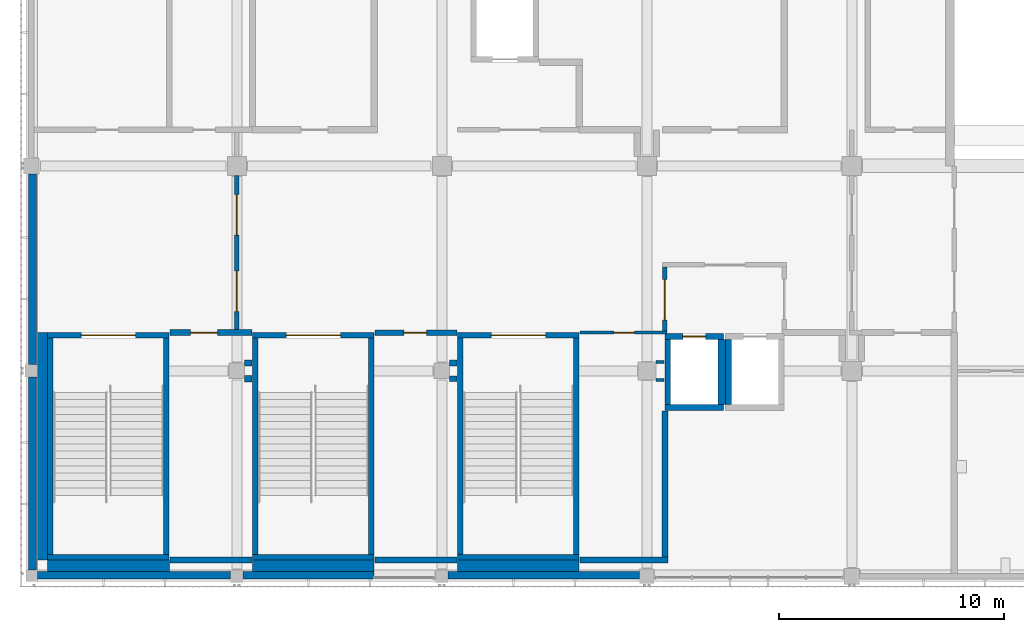
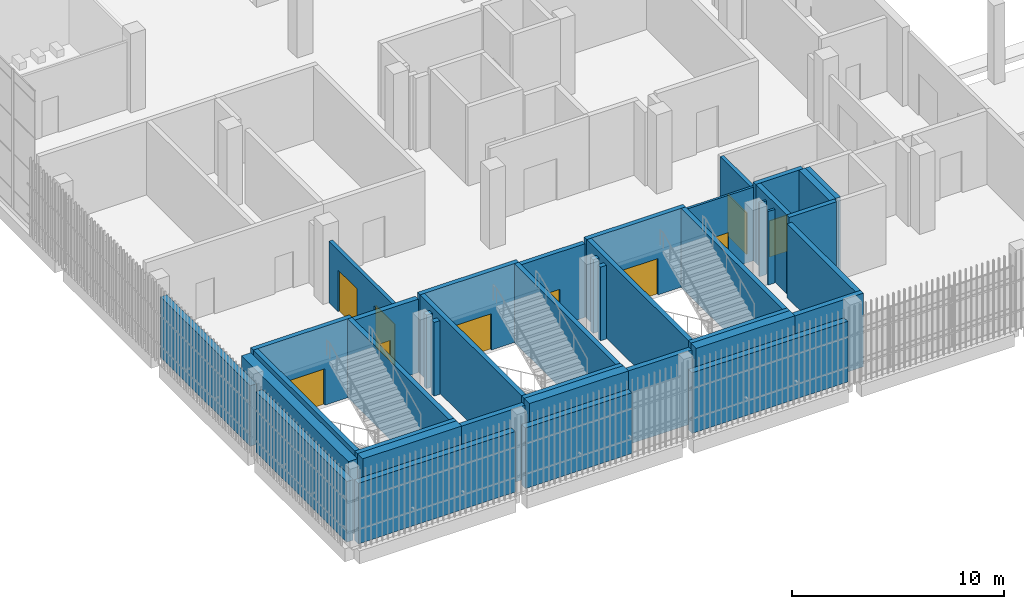
# One storey, part 73 of 126: 41 walls, 10 doors, 10 openings.
"""IFC4 building model written with IfcOpenShell, lengths in metres."""

from ifc_helpers import new_model, si_unit, direction, frame, frame_2d, origin, place, context, subcontext, project, spatial, rectangle, extrude, material, layer, layer_set, type_object, element, fill, save


model = new_model("IFC4")

# Units and contexts
model_context = context("Model", 3, precision=1e-05, world=origin(), true_north=direction((0.0, 1.0)))
body_context = subcontext(model_context, "Body", "Model", "MODEL_VIEW")
ifc_project = project(units=[si_unit("LENGTHUNIT", "METRE"), si_unit("AREAUNIT", "SQUARE_METRE"), si_unit("VOLUMEUNIT", "CUBIC_METRE"), si_unit("PLANEANGLEUNIT", "RADIAN"), si_unit("MASSUNIT", "GRAM", prefix="KILO")], contexts=[model_context])

# Site, building, storey
site_placement = place(None, origin())
site = spatial("IfcSite", under=ifc_project, at=site_placement, CompositionType="ELEMENT")
building_placement = place(site_placement, origin())
building = spatial("IfcBuilding", under=site, at=building_placement, Name="Shirokan Park Arena", CompositionType="ELEMENT")
storey_placement = place(building_placement, frame((0.0, 0.0, 6.3701171875)))
storey = spatial("IfcBuildingStorey", under=building, at=storey_placement, Name="L01", CompositionType="ELEMENT", Elevation=6.3701171875)

# Walls
ifc_material_1 = material(Name="Plaster")
ifc_layer_1 = layer(ifc_material_1, 0.014892578125, Name="Plaster")
ifc_material_2 = material(Name="Concrete blockwork", Category="masonry")
ifc_layer_2 = layer(ifc_material_2, 0.219970703125, Name="Concrete blockwork 220")
ifc_layer_3 = layer(ifc_material_1, 0.014892578125, Name="Plaster")
ifc_layer_set_1 = layer_set([ifc_layer_1, ifc_layer_2, ifc_layer_3], Name="Plaster + Concrete blockwork 220")
wall_type_1 = type_object("IfcWallType", Name="Compartment wall 250", PredefinedType="SOLIDWALL", material=ifc_layer_set_1)
for number, where, z_axis, x_axis, name in (
    (1, (18.550048828125, 8.75, 0.0), (0.0, 0.0, 1.0), (1.0, 0.0, 0.0), "Compartment wall 250 L01"),
    (2, (18.8701171875, 9.449951171875, 0.0), (0.0, 0.0, 1.0), (-1.0, 0.0, 0.0), "Compartment wall 250 L01"),
):
    element("IfcWall", number, at=place(storey_placement, frame(where, z_axis=z_axis, x_axis=x_axis)), inside=storey, type_object=wall_type_1, Name=name, PredefinedType="SOLIDWALL", context=body_context, shape_type="SweptSolid", body=[
        extrude(rectangle(XDim=0.320068359375, YDim=0.25, at=frame_2d((0.16015625, 0.0))), origin(), (0.0, 0.0, 1.0), 4.25),
    ])

# Wall, opening, door
wall_1_placement = place(storey_placement, frame((18.8701171875, 10.800048828125, 0.0), z_axis=(0.0, 0.0, 1.0), x_axis=(-1.0, 0.0, 0.0)))
wall_1 = element("IfcWall", 3, at=wall_1_placement, inside=storey, type_object=wall_type_1, Name="Compartment wall 250 L01", PredefinedType="SOLIDWALL", context=body_context, shape_type="SweptSolid", body=[
    extrude(rectangle(XDim=3.64013671875, YDim=0.25, at=frame_2d((1.820068359375, 0.0))), origin(), (0.0, 0.0, 1.0), 4.25),
])
opening_1_placement = place(wall_1_placement, frame((1.35009765625, 0.0, 0.0)))
opening_1 = element("IfcOpeningElement", 4, at=opening_1_placement, cuts=wall_1, Name="Opening D-1007", PredefinedType="OPENING", context=body_context, shape_type="SweptSolid", body=[
    extrude(rectangle(XDim=1.0, YDim=2.10009765625, at=frame_2d((0.5, 1.050048828125))), frame((0.0, 0.135009765625, 0.0), z_axis=(0.0, -1.0, 0.0), x_axis=(1.0, 0.0, 0.0)), (0.0, 0.0, 1.0), 0.27001953125),
])
ifc_material_3 = material(Name="Timber door set, fire resisting", Category="wood")
door_type_1 = type_object("IfcDoorType", Name="Door 1000 x 2100", OperationType="SINGLE_SWING_LEFT", PredefinedType="DOOR", material=ifc_material_3)
door_1_placement = place(opening_1_placement, origin())
door_1 = element("IfcDoor", 5, at=door_1_placement, inside=storey, type_object=door_type_1, Name="Door to Kiosk Store 1.11 D-1007", OperationType="SINGLE_SWING_LEFT", OverallHeight=2.10009765625, OverallWidth=1.0, PredefinedType="DOOR", context=body_context, shape_type="SweptSolid", body=[
    extrude(rectangle(XDim=1.0, YDim=2.10009765625, at=frame_2d((0.5, 1.050048828125))), frame((0.0, 0.02490234375, 0.0), z_axis=(0.0, -1.0, 0.0), x_axis=(1.0, 0.0, 0.0)), (0.0, 0.0, 1.0), 0.050048828125),
])
fill(opening_1, door_1)

# Wall, openings, doors
ifc_material_4 = material(Name="Gypsum board")
ifc_layer_4 = layer(ifc_material_4, 0.02490234375, Name="Gypsum board, two layers")
ifc_material_5 = material(Name="Mineral wool insulation")
ifc_layer_5 = layer(ifc_material_5, 0.14990234375, Name="Mineral wool insulation")
ifc_layer_6 = layer(ifc_material_4, 0.02490234375, Name="Gypsum board, two layers")
ifc_layer_set_2 = layer_set([ifc_layer_4, ifc_layer_5, ifc_layer_6], Name="Gypsum board, two layers + Mineral wool insulation")
wall_type_2 = type_object("IfcWallType", Name="Corridor wall 200", PredefinedType="PARTITIONING", material=ifc_layer_set_2)
wall_2_placement = place(storey_placement, frame((9.10009765625, 17.77490234375, 0.0), z_axis=(0.0, 0.0, 1.0), x_axis=(0.0, -1.0, 0.0)))
wall_2 = element("IfcWall", 6, at=wall_2_placement, inside=storey, type_object=wall_type_2, Name="Corridor wall 200 L01", PredefinedType="PARTITIONING", context=body_context, shape_type="SweptSolid", body=[
    extrude(rectangle(XDim=6.83740234375, YDim=0.199951171875, at=frame_2d((3.418701171875, 0.0))), origin(), (0.0, 0.0, 1.0), 3.5498046875),
])
opening_2_placement = place(wall_2_placement, frame((0.85009765625, 0.0, 0.0)))
opening_2 = element("IfcOpeningElement", 7, at=opening_2_placement, cuts=wall_2, Name="Opening D-1053", PredefinedType="OPENING", context=body_context, shape_type="SweptSolid", body=[
    extrude(rectangle(XDim=1.800048828125, YDim=2.39990234375, at=frame_2d((0.89990234375, 1.199951171875))), frame((0.0, 0.10986328125, 0.0), z_axis=(0.0, -1.0, 0.0), x_axis=(1.0, 0.0, 0.0)), (0.0, 0.0, 1.0), 0.219970703125),
])
opening_3_placement = place(wall_2_placement, frame((4.25, 0.0, 0.0)))
opening_3 = element("IfcOpeningElement", 8, at=opening_3_placement, cuts=wall_2, Name="Opening D-1054", PredefinedType="OPENING", context=body_context, shape_type="SweptSolid", body=[
    extrude(rectangle(XDim=1.800048828125, YDim=2.39990234375, at=frame_2d((0.89990234375, 1.199951171875))), frame((0.0, 0.10986328125, 0.0), z_axis=(0.0, -1.0, 0.0), x_axis=(1.0, 0.0, 0.0)), (0.0, 0.0, 1.0), 0.219970703125),
])
ifc_material_6 = material(Name="Glazed steel door set, fire resisting", Category="steel")
door_type_2 = type_object("IfcDoorType", Name="Lift lobby door 1800 x 2400", OperationType="DOUBLE_DOOR_SINGLE_SWING", PredefinedType="DOOR", material=ifc_material_6)
door_2_placement = place(opening_2_placement, origin())
door_2 = element("IfcDoor", 9, at=door_2_placement, inside=storey, type_object=door_type_2, Name="Door between Retail Arcade 1.1.1 and Stair Lobby 1.1.2 D-1053", OperationType="DOUBLE_DOOR_SINGLE_SWING", OverallHeight=2.39990234375, OverallWidth=1.800048828125, PredefinedType="DOOR", context=body_context, shape_type="SweptSolid", body=[
    extrude(rectangle(XDim=1.800048828125, YDim=2.39990234375, at=frame_2d((0.89990234375, 1.199951171875))), frame((0.0, 0.02490234375, 0.0), z_axis=(0.0, -1.0, 0.0), x_axis=(1.0, 0.0, 0.0)), (0.0, 0.0, 1.0), 0.050048828125),
])
fill(opening_2, door_2)
door_3_placement = place(opening_3_placement, origin())
door_3 = element("IfcDoor", 10, at=door_3_placement, inside=storey, type_object=door_type_2, Name="Door between Retail Arcade 1.1.1 and Stair Lobby 1.1.2 D-1054", OperationType="DOUBLE_DOOR_SINGLE_SWING", OverallHeight=2.39990234375, OverallWidth=1.800048828125, PredefinedType="DOOR", context=body_context, shape_type="SweptSolid", body=[
    extrude(rectangle(XDim=1.800048828125, YDim=2.39990234375, at=frame_2d((0.89990234375, 1.199951171875))), frame((0.0, 0.02490234375, 0.0), z_axis=(0.0, -1.0, 0.0), x_axis=(1.0, 0.0, 0.0)), (0.0, 0.0, 1.0), 0.050048828125),
])
fill(opening_3, door_3)

# Wall, opening, door
wall_3_placement = place(storey_placement, frame((28.10009765625, 13.699951171875, 0.0), z_axis=(0.0, 0.0, 1.0), x_axis=(0.0, -1.0, 0.0)))
wall_3 = element("IfcWall", 11, at=wall_3_placement, inside=storey, type_object=wall_type_2, Name="Corridor wall 200 L01", PredefinedType="PARTITIONING", context=body_context, shape_type="SweptSolid", body=[
    extrude(rectangle(XDim=2.83740234375, YDim=0.199951171875, at=frame_2d((1.418701171875, 0.0))), origin(), (0.0, 0.0, 1.0), 4.25),
])
opening_4_placement = place(wall_3_placement, frame((0.550048828125, 0.0, 0.0)))
opening_4 = element("IfcOpeningElement", 12, at=opening_4_placement, cuts=wall_3, Name="Opening D-1058", PredefinedType="OPENING", context=body_context, shape_type="SweptSolid", body=[
    extrude(rectangle(XDim=1.800048828125, YDim=2.39990234375, at=frame_2d((0.89990234375, 1.199951171875))), frame((0.0, 0.10986328125, 0.0), z_axis=(0.0, -1.0, 0.0), x_axis=(1.0, 0.0, 0.0)), (0.0, 0.0, 1.0), 0.219970703125),
])
door_4_placement = place(opening_4_placement, origin())
door_4 = element("IfcDoor", 13, at=door_4_placement, inside=storey, type_object=door_type_2, Name="Door between Stair Lobby 1.1.2 and Lift Lobby 1.1 D-1058", OperationType="DOUBLE_DOOR_SINGLE_SWING", OverallHeight=2.39990234375, OverallWidth=1.800048828125, PredefinedType="DOOR", context=body_context, shape_type="SweptSolid", body=[
    extrude(rectangle(XDim=1.800048828125, YDim=2.39990234375, at=frame_2d((0.89990234375, 1.199951171875))), frame((0.0, 0.02490234375, 0.0), z_axis=(0.0, -1.0, 0.0), x_axis=(1.0, 0.0, 0.0)), (0.0, 0.0, 1.0), 0.050048828125),
])
fill(opening_4, door_4)

# Walls
ifc_material_7 = material(Name="Cedar cladding")
ifc_layer_7 = layer(ifc_material_7, 0.030029296875, Name="Cedar cladding")
ifc_layer_8 = layer(ifc_material_5, 0.10009765625, Name="Mineral wool insulation")
ifc_material_8 = material(Name="Concrete C35", Category="concrete")
ifc_layer_9 = layer(ifc_material_8, 0.199951171875, Name="Concrete C35")
ifc_material_9 = material(Name="Gypsum board lining")
ifc_layer_10 = layer(ifc_material_9, 0.02001953125, Name="Gypsum board lining")
ifc_layer_set_3 = layer_set([ifc_layer_7, ifc_layer_8, ifc_layer_9, ifc_layer_10], Name="Cedar cladding + Mineral wool insulation + Concrete C35 + Gypsum board lining")
wall_type_3 = type_object("IfcWallType", Name="Insulated tower wall 350", PredefinedType="SOLIDWALL", material=ifc_layer_set_3)
wall_4_placement = place(storey_placement, frame((0.25, 0.02490234375, 0.0), z_axis=(0.0, 0.0, 1.0), x_axis=(1.0, 0.0, 0.0)))
element("IfcWall", 14, at=wall_4_placement, inside=storey, type_object=wall_type_3, Name="South facade wall bay 1 L01", PredefinedType="SOLIDWALL", context=body_context, shape_type="SweptSolid", body=[
    extrude(rectangle(XDim=8.574951171875, YDim=0.35009765625, at=frame_2d((4.28759765625, 0.0))), origin(), (0.0, 0.0, 1.0), 3.5),
])
wall_5_placement = place(storey_placement, frame((9.375, 0.02490234375, 0.0), z_axis=(0.0, 0.0, 1.0), x_axis=(1.0, 0.0, 0.0)))
element("IfcWall", 15, at=wall_5_placement, inside=storey, type_object=wall_type_3, Name="South facade wall bay 2 L01", PredefinedType="SOLIDWALL", context=body_context, shape_type="SweptSolid", body=[
    extrude(rectangle(XDim=5.824951171875, YDim=0.35009765625, at=frame_2d((2.91259765625, 0.0))), origin(), (0.0, 0.0, 1.0), 3.5),
])
wall_6_placement = place(storey_placement, frame((18.47509765625, 0.02490234375, 0.0), z_axis=(0.0, 0.0, 1.0), x_axis=(1.0, 0.0, 0.0)))
element("IfcWall", 16, at=wall_6_placement, inside=storey, type_object=wall_type_3, Name="South facade wall bay 3 L01", PredefinedType="SOLIDWALL", context=body_context, shape_type="SweptSolid", body=[
    extrude(rectangle(XDim=8.5, YDim=0.35009765625, at=frame_2d((4.25, 0.0))), origin(), (0.0, 0.0, 1.0), 3.5),
])
wall_7_placement = place(storey_placement, frame((0.02490234375, 17.85009765625, 0.0), z_axis=(0.0, 0.0, 1.0), x_axis=(0.0, -1.0, 0.0)))
element("IfcWall", 17, at=wall_7_placement, inside=storey, type_object=wall_type_3, Name="West facade wall bay 11 L01", PredefinedType="SOLIDWALL", context=body_context, shape_type="SweptSolid", body=[
    extrude(rectangle(XDim=8.47509765625, YDim=0.35009765625, at=frame_2d((4.237548828125, 0.0))), origin(), (0.0, 0.0, 1.0), 3.5),
])
wall_8_placement = place(storey_placement, frame((0.02490234375, 8.824951171875, 0.0), z_axis=(0.0, 0.0, 1.0), x_axis=(0.0, -1.0, 0.0)))
element("IfcWall", 18, at=wall_8_placement, inside=storey, type_object=wall_type_3, Name="West facade wall bay 12 L01", PredefinedType="SOLIDWALL", context=body_context, shape_type="SweptSolid", body=[
    extrude(rectangle(XDim=8.574951171875, YDim=0.35009765625, at=frame_2d((4.28759765625, 0.0))), origin(), (0.0, 0.0, 1.0), 3.5),
])

# Wall, opening, door
ifc_layer_11 = layer(ifc_material_1, 0.012451171875, Name="Plaster")
ifc_layer_12 = layer(ifc_material_2, 0.25, Name="Concrete blockwork 250")
ifc_layer_13 = layer(ifc_material_1, 0.012451171875, Name="Plaster")
ifc_layer_set_4 = layer_set([ifc_layer_11, ifc_layer_12, ifc_layer_13], Name="Plaster + Concrete blockwork 250")
wall_type_4 = type_object("IfcWallType", Name="Plant room wall 275", PredefinedType="SOLIDWALL", material=ifc_layer_set_4)
wall_9_placement = place(storey_placement, frame((6.1298828125, 10.800048828125, 0.0), z_axis=(0.0, 0.0, 1.0), x_axis=(1.0, 0.0, 0.0)))
wall_9 = element("IfcWall", 19, at=wall_9_placement, inside=storey, type_object=wall_type_4, Name="Plant room wall 275 L01", PredefinedType="SOLIDWALL", context=body_context, shape_type="SweptSolid", body=[
    extrude(rectangle(XDim=3.64013671875, YDim=0.27490234375, at=frame_2d((1.820068359375, 0.0))), origin(), (0.0, 0.0, 1.0), 4.25),
])
opening_5_placement = place(wall_9_placement, frame((0.919921875, 0.0, 0.0)))
opening_5 = element("IfcOpeningElement", 20, at=opening_5_placement, cuts=wall_9, Name="Opening D-1006", PredefinedType="OPENING", context=body_context, shape_type="SweptSolid", body=[
    extrude(rectangle(XDim=1.199951171875, YDim=2.39990234375, at=frame_2d((0.60009765625, 1.199951171875))), frame((0.0, 0.1474609375, 0.0), z_axis=(0.0, -1.0, 0.0), x_axis=(1.0, 0.0, 0.0)), (0.0, 0.0, 1.0), 0.294921875),
])
ifc_material_10 = material(Name="Louvred steel door set, fire resisting", Category="steel")
door_type_3 = type_object("IfcDoorType", Name="Plant room door 1200 x 2400", OperationType="SINGLE_SWING_LEFT", PredefinedType="DOOR", material=ifc_material_10)
door_5_placement = place(opening_5_placement, origin())
door_5 = element("IfcDoor", 21, at=door_5_placement, inside=storey, type_object=door_type_3, Name="Door to Electrical Room 1.10 D-1006", OperationType="SINGLE_SWING_RIGHT", OverallHeight=2.39990234375, OverallWidth=1.199951171875, PredefinedType="DOOR", context=body_context, shape_type="SweptSolid", body=[
    extrude(rectangle(XDim=1.199951171875, YDim=2.39990234375, at=frame_2d((0.60009765625, 1.199951171875))), frame((0.0, 0.02490234375, 0.0), z_axis=(0.0, -1.0, 0.0), x_axis=(1.0, 0.0, 0.0)), (0.0, 0.0, 1.0), 0.050048828125),
])
fill(opening_5, door_5)

# Walls
wall_10_placement = place(storey_placement, frame((9.449951171875, 8.75, 0.0), z_axis=(0.0, 0.0, 1.0), x_axis=(1.0, 0.0, 0.0)))
element("IfcWall", 22, at=wall_10_placement, inside=storey, type_object=wall_type_4, Name="Plant room wall 275 L01", PredefinedType="SOLIDWALL", context=body_context, shape_type="SweptSolid", body=[
    extrude(rectangle(XDim=0.320068359375, YDim=0.27490234375, at=frame_2d((0.16015625, 0.0))), origin(), (0.0, 0.0, 1.0), 4.25),
])
wall_11_placement = place(storey_placement, frame((9.77001953125, 0.699951171875, 0.0), z_axis=(0.0, 0.0, 1.0), x_axis=(-1.0, 0.0, 0.0)))
element("IfcWall", 23, at=wall_11_placement, inside=storey, type_object=wall_type_4, Name="Plant room wall 275 L01", PredefinedType="SOLIDWALL", context=body_context, shape_type="SweptSolid", body=[
    extrude(rectangle(XDim=3.64013671875, YDim=0.27490234375, at=frame_2d((1.820068359375, 0.0))), origin(), (0.0, 0.0, 1.0), 4.25),
])
wall_12_placement = place(storey_placement, frame((9.77001953125, 9.449951171875, 0.0), z_axis=(0.0, 0.0, 1.0), x_axis=(-1.0, 0.0, 0.0)))
element("IfcWall", 24, at=wall_12_placement, inside=storey, type_object=wall_type_4, Name="Plant room wall 275 L01", PredefinedType="SOLIDWALL", context=body_context, shape_type="SweptSolid", body=[
    extrude(rectangle(XDim=0.320068359375, YDim=0.27490234375, at=frame_2d((0.16015625, 0.0))), origin(), (0.0, 0.0, 1.0), 4.25),
])
wall_13_placement = place(storey_placement, frame((18.8701171875, 0.699951171875, 0.0), z_axis=(0.0, 0.0, 1.0), x_axis=(-1.0, 0.0, 0.0)))
element("IfcWall", 25, at=wall_13_placement, inside=storey, type_object=wall_type_4, Name="Plant room wall 275 L01", PredefinedType="SOLIDWALL", context=body_context, shape_type="SweptSolid", body=[
    extrude(rectangle(XDim=3.64013671875, YDim=0.27490234375, at=frame_2d((1.820068359375, 0.0))), origin(), (0.0, 0.0, 1.0), 4.25),
])
wall_14_placement = place(storey_placement, frame((28.10009765625, 7.320068359375, 0.0), z_axis=(0.0, 0.0, 1.0), x_axis=(0.0, -1.0, 0.0)))
element("IfcWall", 26, at=wall_14_placement, inside=storey, type_object=wall_type_4, Name="Plant room wall 275 L01", PredefinedType="SOLIDWALL", context=body_context, shape_type="SweptSolid", body=[
    extrude(rectangle(XDim=6.482666015625, YDim=0.27490234375, at=frame_2d((3.2412109375, 0.0))), origin(), (0.0, 0.0, 1.0), 4.25),
])
wall_15_placement = place(storey_placement, frame((28.237548828125, 0.699951171875, 0.0), z_axis=(0.0, 0.0, 1.0), x_axis=(-1.0, 0.0, 0.0)))
element("IfcWall", 27, at=wall_15_placement, inside=storey, type_object=wall_type_4, Name="Plant room wall 275 L01", PredefinedType="SOLIDWALL", context=body_context, shape_type="SweptSolid", body=[
    extrude(rectangle(XDim=3.907470703125, YDim=0.27490234375, at=frame_2d((1.95361328125, 0.0))), origin(), (0.0, 0.0, 1.0), 4.25),
])
ifc_material_11 = material(Name="Concrete C40/50", Category="concrete")
ifc_layer_14 = layer(ifc_material_11, 0.25)
ifc_layer_set_5 = layer_set([ifc_layer_14], Name="Concrete C40/50 250 mm")
wall_type_5 = type_object("IfcWallType", Name="RC shear wall 250", PredefinedType="SHEAR", material=ifc_layer_set_5)
wall_16_placement = place(storey_placement, frame((30.699951171875, 7.47509765625, 0.0), z_axis=(0.0, 0.0, 1.0), x_axis=(-1.0, 0.0, 0.0)))
element("IfcWall", 28, at=wall_16_placement, inside=storey, type_object=wall_type_5, Name="Shaft wall Passenger Lift 1.1 S L01", PredefinedType="SHEAR", context=body_context, shape_type="SweptSolid", body=[
    extrude(rectangle(XDim=2.599853515625, YDim=0.25, at=frame_2d((1.2998046875, 0.0))), origin(), (0.0, 0.0, 1.0), 4.5498046875),
])

# Wall, opening, door
wall_17_placement = place(storey_placement, frame((30.699951171875, 10.625, 0.0), z_axis=(0.0, 0.0, 1.0), x_axis=(-1.0, 0.0, 0.0)))
wall_17 = element("IfcWall", 29, at=wall_17_placement, inside=storey, type_object=wall_type_5, Name="Shaft wall Passenger Lift 1.1 N L01", PredefinedType="SHEAR", context=body_context, shape_type="SweptSolid", body=[
    extrude(rectangle(XDim=2.599853515625, YDim=0.25, at=frame_2d((1.2998046875, 0.0))), origin(), (0.0, 0.0, 1.0), 4.5498046875),
])
opening_6_placement = place(wall_17_placement, frame((0.800048828125, 0.0, 0.0)))
opening_6 = element("IfcOpeningElement", 30, at=opening_6_placement, cuts=wall_17, Name="Opening LD02", PredefinedType="OPENING", context=body_context, shape_type="SweptSolid", body=[
    extrude(rectangle(XDim=1.0, YDim=2.10009765625, at=frame_2d((0.5, 1.050048828125))), frame((0.0, 0.135009765625, 0.0), z_axis=(0.0, -1.0, 0.0), x_axis=(1.0, 0.0, 0.0)), (0.0, 0.0, 1.0), 0.27001953125),
])
ifc_material_12 = material(Name="Stainless steel", Category="steel")
door_type_4 = type_object("IfcDoorType", Name="Lift landing door 1000x2100", OperationType="DOUBLE_DOOR_SLIDING", PredefinedType="DOOR", material=ifc_material_12)
door_6_placement = place(opening_6_placement, origin())
door_6 = element("IfcDoor", 31, at=door_6_placement, inside=storey, type_object=door_type_4, Name="Lift landing door Passenger Lift 1.1 L01", OperationType="DOUBLE_DOOR_SLIDING", OverallHeight=2.10009765625, OverallWidth=1.0, PredefinedType="DOOR", context=body_context, shape_type="SweptSolid", body=[
    extrude(rectangle(XDim=1.0, YDim=2.10009765625, at=frame_2d((0.5, 1.050048828125))), frame((0.0, 0.02490234375, 0.0), z_axis=(0.0, -1.0, 0.0), x_axis=(1.0, 0.0, 0.0)), (0.0, 0.0, 1.0), 0.050048828125),
])
fill(opening_6, door_6)

# Walls
for number, where, z_axis, x_axis, name in (
    (32, (28.22509765625, 10.5, 0.0), (0.0, 0.0, 1.0), (0.0, -1.0, 0.0), "Shaft wall Passenger Lift 1.1 W L01"),
    (33, (30.925048828125, 10.5, 0.0), (0.0, 0.0, 1.0), (0.0, -1.0, 0.0), "Shaft wall Passenger Lift 1.2 W L01"),
):
    element("IfcWall", number, at=place(storey_placement, frame(where, z_axis=z_axis, x_axis=x_axis)), inside=storey, type_object=wall_type_5, Name=name, PredefinedType="SHEAR", context=body_context, shape_type="SweptSolid", body=[
        extrude(rectangle(XDim=2.89990234375, YDim=0.25, at=frame_2d((1.449951171875, 0.0))), origin(), (0.0, 0.0, 1.0), 4.5498046875),
    ])
wall_18_placement = place(storey_placement, frame((6.10009765625, 0.824951171875, 0.0), z_axis=(0.0, 0.0, 1.0), x_axis=(-1.0, 0.0, 0.0)))
element("IfcWall", 34, at=wall_18_placement, inside=storey, type_object=wall_type_5, Name="Shaft wall Exit Stair 1.A S L01", PredefinedType="SHEAR", context=body_context, shape_type="SweptSolid", body=[
    extrude(rectangle(XDim=5.400146484375, YDim=0.25, at=frame_2d((2.7001953125, 0.0))), origin(), (0.0, 0.0, 1.0), 4.5498046875),
])

# Wall, opening, door
wall_19_placement = place(storey_placement, frame((6.10009765625, 10.675048828125, 0.0), z_axis=(0.0, 0.0, 1.0), x_axis=(-1.0, 0.0, 0.0)))
wall_19 = element("IfcWall", 35, at=wall_19_placement, inside=storey, type_object=wall_type_5, Name="Shaft wall Exit Stair 1.A N L01", PredefinedType="SHEAR", context=body_context, shape_type="SweptSolid", body=[
    extrude(rectangle(XDim=5.400146484375, YDim=0.25, at=frame_2d((2.7001953125, 0.0))), origin(), (0.0, 0.0, 1.0), 4.5498046875),
])
opening_7_placement = place(wall_19_placement, frame((1.5, 0.0, 0.0)))
opening_7 = element("IfcOpeningElement", 36, at=opening_7_placement, cuts=wall_19, Name="Opening D-1103", PredefinedType="OPENING", context=body_context, shape_type="SweptSolid", body=[
    extrude(rectangle(XDim=2.39990234375, YDim=2.10009765625, at=frame_2d((1.199951171875, 1.050048828125))), frame((0.0, 0.135009765625, 0.0), z_axis=(0.0, -1.0, 0.0), x_axis=(1.0, 0.0, 0.0)), (0.0, 0.0, 1.0), 0.27001953125),
])
ifc_material_13 = material(Name="Steel door set, fire resisting", Category="steel")
door_type_5 = type_object("IfcDoorType", Name="Stair door 2400 x 2100", OperationType="DOUBLE_DOOR_SINGLE_SWING", PredefinedType="DOOR", material=ifc_material_13)
door_7_placement = place(opening_7_placement, origin())
door_7 = element("IfcDoor", 37, at=door_7_placement, inside=storey, type_object=door_type_5, Name="Stair door Exit Stair 1.A D-1103", OperationType="DOUBLE_DOOR_SINGLE_SWING", OverallHeight=2.10009765625, OverallWidth=2.39990234375, PredefinedType="DOOR", context=body_context, shape_type="SweptSolid", body=[
    extrude(rectangle(XDim=2.39990234375, YDim=2.10009765625, at=frame_2d((1.199951171875, 1.050048828125))), frame((0.0, 0.02490234375, 0.0), z_axis=(0.0, -1.0, 0.0), x_axis=(1.0, 0.0, 0.0)), (0.0, 0.0, 1.0), 0.050048828125),
])
fill(opening_7, door_7)

# Walls
for number, where, z_axis, x_axis, name in (
    (38, (0.824951171875, 10.550048828125, 0.0), (0.0, 0.0, 1.0), (0.0, -1.0, 0.0), "Shaft wall Exit Stair 1.A W L01"),
    (39, (5.97509765625, 10.550048828125, 0.0), (0.0, 0.0, 1.0), (0.0, -1.0, 0.0), "Shaft wall Exit Stair 1.A E L01"),
):
    element("IfcWall", number, at=place(storey_placement, frame(where, z_axis=z_axis, x_axis=x_axis)), inside=storey, type_object=wall_type_5, Name=name, PredefinedType="SHEAR", context=body_context, shape_type="SweptSolid", body=[
        extrude(rectangle(XDim=9.60009765625, YDim=0.25, at=frame_2d((4.800048828125, 0.0))), origin(), (0.0, 0.0, 1.0), 4.5498046875),
    ])
wall_20_placement = place(storey_placement, frame((15.199951171875, 0.824951171875, 0.0), z_axis=(0.0, 0.0, 1.0), x_axis=(-1.0, 0.0, 0.0)))
element("IfcWall", 40, at=wall_20_placement, inside=storey, type_object=wall_type_5, Name="Shaft wall Exit Stair 1.B S L01", PredefinedType="SHEAR", context=body_context, shape_type="SweptSolid", body=[
    extrude(rectangle(XDim=5.39990234375, YDim=0.25, at=frame_2d((2.699951171875, 0.0))), origin(), (0.0, 0.0, 1.0), 4.5498046875),
])

# Wall, opening, door
wall_21_placement = place(storey_placement, frame((15.199951171875, 10.675048828125, 0.0), z_axis=(0.0, 0.0, 1.0), x_axis=(-1.0, 0.0, 0.0)))
wall_21 = element("IfcWall", 41, at=wall_21_placement, inside=storey, type_object=wall_type_5, Name="Shaft wall Exit Stair 1.B N L01", PredefinedType="SHEAR", context=body_context, shape_type="SweptSolid", body=[
    extrude(rectangle(XDim=5.39990234375, YDim=0.25, at=frame_2d((2.699951171875, 0.0))), origin(), (0.0, 0.0, 1.0), 4.5498046875),
])
opening_8_placement = place(wall_21_placement, frame((1.5, 0.0, 0.0)))
opening_8 = element("IfcOpeningElement", 42, at=opening_8_placement, cuts=wall_21, Name="Opening D-1104", PredefinedType="OPENING", context=body_context, shape_type="SweptSolid", body=[
    extrude(rectangle(XDim=2.39990234375, YDim=2.10009765625, at=frame_2d((1.199951171875, 1.050048828125))), frame((0.0, 0.135009765625, 0.0), z_axis=(0.0, -1.0, 0.0), x_axis=(1.0, 0.0, 0.0)), (0.0, 0.0, 1.0), 0.27001953125),
])
door_8_placement = place(opening_8_placement, origin())
door_8 = element("IfcDoor", 43, at=door_8_placement, inside=storey, type_object=door_type_5, Name="Stair door Exit Stair 1.B D-1104", OperationType="DOUBLE_DOOR_SINGLE_SWING", OverallHeight=2.10009765625, OverallWidth=2.39990234375, PredefinedType="DOOR", context=body_context, shape_type="SweptSolid", body=[
    extrude(rectangle(XDim=2.39990234375, YDim=2.10009765625, at=frame_2d((1.199951171875, 1.050048828125))), frame((0.0, 0.02490234375, 0.0), z_axis=(0.0, -1.0, 0.0), x_axis=(1.0, 0.0, 0.0)), (0.0, 0.0, 1.0), 0.050048828125),
])
fill(opening_8, door_8)

# Walls
for number, where, z_axis, x_axis, name in (
    (44, (9.925048828125, 10.550048828125, 0.0), (0.0, 0.0, 1.0), (0.0, -1.0, 0.0), "Shaft wall Exit Stair 1.B W L01"),
    (45, (15.074951171875, 10.550048828125, 0.0), (0.0, 0.0, 1.0), (0.0, -1.0, 0.0), "Shaft wall Exit Stair 1.B E L01"),
):
    element("IfcWall", number, at=place(storey_placement, frame(where, z_axis=z_axis, x_axis=x_axis)), inside=storey, type_object=wall_type_5, Name=name, PredefinedType="SHEAR", context=body_context, shape_type="SweptSolid", body=[
        extrude(rectangle(XDim=9.60009765625, YDim=0.25, at=frame_2d((4.800048828125, 0.0))), origin(), (0.0, 0.0, 1.0), 4.5498046875),
    ])
wall_22_placement = place(storey_placement, frame((24.300048828125, 0.824951171875, 0.0), z_axis=(0.0, 0.0, 1.0), x_axis=(-1.0, 0.0, 0.0)))
element("IfcWall", 46, at=wall_22_placement, inside=storey, type_object=wall_type_5, Name="Shaft wall Exit Stair 1.C S L01", PredefinedType="SHEAR", context=body_context, shape_type="SweptSolid", body=[
    extrude(rectangle(XDim=5.400146484375, YDim=0.25, at=frame_2d((2.7001953125, 0.0))), origin(), (0.0, 0.0, 1.0), 4.5498046875),
])

# Wall, opening, door
wall_23_placement = place(storey_placement, frame((24.300048828125, 10.675048828125, 0.0), z_axis=(0.0, 0.0, 1.0), x_axis=(-1.0, 0.0, 0.0)))
wall_23 = element("IfcWall", 47, at=wall_23_placement, inside=storey, type_object=wall_type_5, Name="Shaft wall Exit Stair 1.C N L01", PredefinedType="SHEAR", context=body_context, shape_type="SweptSolid", body=[
    extrude(rectangle(XDim=5.400146484375, YDim=0.25, at=frame_2d((2.7001953125, 0.0))), origin(), (0.0, 0.0, 1.0), 4.5498046875),
])
opening_9_placement = place(wall_23_placement, frame((1.5, 0.0, 0.0)))
opening_9 = element("IfcOpeningElement", 48, at=opening_9_placement, cuts=wall_23, Name="Opening D-1105", PredefinedType="OPENING", context=body_context, shape_type="SweptSolid", body=[
    extrude(rectangle(XDim=2.39990234375, YDim=2.10009765625, at=frame_2d((1.199951171875, 1.050048828125))), frame((0.0, 0.135009765625, 0.0), z_axis=(0.0, -1.0, 0.0), x_axis=(1.0, 0.0, 0.0)), (0.0, 0.0, 1.0), 0.27001953125),
])
door_9_placement = place(opening_9_placement, origin())
door_9 = element("IfcDoor", 49, at=door_9_placement, inside=storey, type_object=door_type_5, Name="Stair door Exit Stair 1.C D-1105", OperationType="DOUBLE_DOOR_SINGLE_SWING", OverallHeight=2.10009765625, OverallWidth=2.39990234375, PredefinedType="DOOR", context=body_context, shape_type="SweptSolid", body=[
    extrude(rectangle(XDim=2.39990234375, YDim=2.10009765625, at=frame_2d((1.199951171875, 1.050048828125))), frame((0.0, 0.02490234375, 0.0), z_axis=(0.0, -1.0, 0.0), x_axis=(1.0, 0.0, 0.0)), (0.0, 0.0, 1.0), 0.050048828125),
])
fill(opening_9, door_9)

# Walls
for number, where, z_axis, x_axis, name in (
    (50, (19.02490234375, 10.550048828125, 0.0), (0.0, 0.0, 1.0), (0.0, -1.0, 0.0), "Shaft wall Exit Stair 1.C W L01"),
    (51, (24.175048828125, 10.550048828125, 0.0), (0.0, 0.0, 1.0), (0.0, -1.0, 0.0), "Shaft wall Exit Stair 1.C E L01"),
):
    element("IfcWall", number, at=place(storey_placement, frame(where, z_axis=z_axis, x_axis=x_axis)), inside=storey, type_object=wall_type_5, Name=name, PredefinedType="SHEAR", context=body_context, shape_type="SweptSolid", body=[
        extrude(rectangle(XDim=9.60009765625, YDim=0.25, at=frame_2d((4.800048828125, 0.0))), origin(), (0.0, 0.0, 1.0), 4.5498046875),
    ])
ifc_layer_15 = layer(ifc_material_11, 0.35009765625)
ifc_layer_set_6 = layer_set([ifc_layer_15], Name="Concrete C40/50 350 mm")
wall_type_6 = type_object("IfcWallType", Name="RC shear wall 350", PredefinedType="SHEAR", material=ifc_layer_set_6)
wall_24_placement = place(storey_placement, frame((30.625, 10.5, 0.0), z_axis=(0.0, 0.0, 1.0), x_axis=(0.0, -1.0, 0.0)))
element("IfcWall", 52, at=wall_24_placement, inside=storey, type_object=wall_type_6, Name="Shaft wall Passenger Lift 1.1 E L01", PredefinedType="SHEAR", context=body_context, shape_type="SweptSolid", body=[
    extrude(rectangle(XDim=2.89990234375, YDim=0.35009765625, at=frame_2d((1.449951171875, 0.0))), origin(), (0.0, 0.0, 1.0), 4.5498046875),
])
ifc_layer_16 = layer(ifc_material_8, 0.5)
ifc_layer_set_7 = layer_set([ifc_layer_16], Name="Concrete C35 500 mm")
wall_type_7 = type_object("IfcWallType", Name="Shaft infill wall 500", PredefinedType="SOLIDWALL", material=ifc_layer_set_7)
wall_25_placement = place(storey_placement, frame((0.699951171875, 0.449951171875, 0.0), z_axis=(0.0, 0.0, 1.0), x_axis=(1.0, 0.0, 0.0)))
element("IfcWall", 53, at=wall_25_placement, inside=storey, type_object=wall_type_7, Name="Shaft infill wall L01", PredefinedType="SOLIDWALL", context=body_context, shape_type="SweptSolid", body=[
    extrude(rectangle(XDim=5.400146484375, YDim=0.5, at=frame_2d((2.7001953125, 0.0))), origin(), (0.0, 0.0, 1.0), 4.5498046875),
])
wall_26_placement = place(storey_placement, frame((0.449951171875, 0.699951171875, 0.0), z_axis=(0.0, 0.0, 1.0), x_axis=(0.0, 1.0, 0.0)))
element("IfcWall", 54, at=wall_26_placement, inside=storey, type_object=wall_type_7, Name="Shaft infill wall L01", PredefinedType="SOLIDWALL", context=body_context, shape_type="SweptSolid", body=[
    extrude(rectangle(XDim=10.10009765625, YDim=0.5, at=frame_2d((5.050048828125, 0.0))), origin(), (0.0, 0.0, 1.0), 4.25),
])
wall_27_placement = place(storey_placement, frame((9.800048828125, 0.449951171875, 0.0), z_axis=(0.0, 0.0, 1.0), x_axis=(1.0, 0.0, 0.0)))
element("IfcWall", 55, at=wall_27_placement, inside=storey, type_object=wall_type_7, Name="Shaft infill wall L01", PredefinedType="SOLIDWALL", context=body_context, shape_type="SweptSolid", body=[
    extrude(rectangle(XDim=5.39990234375, YDim=0.5, at=frame_2d((2.699951171875, 0.0))), origin(), (0.0, 0.0, 1.0), 4.5498046875),
])
wall_28_placement = place(storey_placement, frame((18.89990234375, 0.449951171875, 0.0), z_axis=(0.0, 0.0, 1.0), x_axis=(1.0, 0.0, 0.0)))
element("IfcWall", 56, at=wall_28_placement, inside=storey, type_object=wall_type_7, Name="Shaft infill wall L01", PredefinedType="SOLIDWALL", context=body_context, shape_type="SweptSolid", body=[
    extrude(rectangle(XDim=5.400146484375, YDim=0.5, at=frame_2d((2.7001953125, 0.0))), origin(), (0.0, 0.0, 1.0), 4.5498046875),
])
ifc_material_14 = material(Name="Ceramic tile")
ifc_layer_17 = layer(ifc_material_14, 0.010009765625, Name="Ceramic tile")
ifc_material_15 = material(Name="Cement board")
ifc_layer_18 = layer(ifc_material_15, 0.012451171875, Name="Cement board")
ifc_layer_19 = layer(ifc_material_5, 0.080078125, Name="Mineral wool insulation")
ifc_layer_20 = layer(ifc_material_15, 0.012451171875, Name="Cement board")
ifc_layer_21 = layer(ifc_material_14, 0.010009765625, Name="Ceramic tile")
ifc_layer_set_8 = layer_set([ifc_layer_17, ifc_layer_18, ifc_layer_19, ifc_layer_20, ifc_layer_21], Name="Ceramic tile + Cement board + Mineral wool insulation")
wall_type_8 = type_object("IfcWallType", Name="Wet-area wall 125", PredefinedType="PARTITIONING", material=ifc_layer_set_8)
for number, where, z_axis, x_axis, name in (
    (57, (27.699951171875, 8.699951171875, 0.0), (0.0, 0.0, 1.0), (1.0, 0.0, 0.0), "Wet-area wall 125 L01"),
    (58, (28.070068359375, 9.5, 0.0), (0.0, 0.0, 1.0), (-1.0, 0.0, 0.0), "Wet-area wall 125 L01"),
):
    element("IfcWall", number, at=place(storey_placement, frame(where, z_axis=z_axis, x_axis=x_axis)), inside=storey, type_object=wall_type_8, Name=name, PredefinedType="PARTITIONING", context=body_context, shape_type="SweptSolid", body=[
        extrude(rectangle(XDim=0.3701171875, YDim=0.125, at=frame_2d((0.18505859375, 0.0))), origin(), (0.0, 0.0, 1.0), 4.25),
    ])

# Wall, opening, door
wall_29_placement = place(storey_placement, frame((28.199951171875, 10.800048828125, 0.0), z_axis=(0.0, 0.0, 1.0), x_axis=(-1.0, 0.0, 0.0)))
wall_29 = element("IfcWall", 59, at=wall_29_placement, inside=storey, type_object=wall_type_8, Name="Wet-area wall 125 L01", PredefinedType="PARTITIONING", context=body_context, shape_type="SweptSolid", body=[
    extrude(rectangle(XDim=3.869873046875, YDim=0.125, at=frame_2d((1.93505859375, 0.0))), origin(), (0.0, 0.0, 1.0), 4.25),
])
opening_10_placement = place(wall_29_placement, frame((1.449951171875, 0.0, 0.0)))
opening_10 = element("IfcOpeningElement", 60, at=opening_10_placement, cuts=wall_29, Name="Opening D-1008", PredefinedType="OPENING", context=body_context, shape_type="SweptSolid", body=[
    extrude(rectangle(XDim=0.89990234375, YDim=2.10009765625, at=frame_2d((0.449951171875, 1.050048828125))), frame((0.0, 0.072509765625, 0.0), z_axis=(0.0, -1.0, 0.0), x_axis=(1.0, 0.0, 0.0)), (0.0, 0.0, 1.0), 0.14501953125),
])
door_type_6 = type_object("IfcDoorType", Name="Door 900 x 2100", OperationType="SINGLE_SWING_LEFT", PredefinedType="DOOR", material=ifc_material_3)
door_10_placement = place(opening_10_placement, origin())
door_10 = element("IfcDoor", 61, at=door_10_placement, inside=storey, type_object=door_type_6, Name="Door to Staff WC 1.12 D-1008", OperationType="SINGLE_SWING_RIGHT", OverallHeight=2.10009765625, OverallWidth=0.89990234375, PredefinedType="DOOR", context=body_context, shape_type="SweptSolid", body=[
    extrude(rectangle(XDim=0.89990234375, YDim=2.10009765625, at=frame_2d((0.449951171875, 1.050048828125))), frame((0.0, 0.02490234375, 0.0), z_axis=(0.0, -1.0, 0.0), x_axis=(1.0, 0.0, 0.0)), (0.0, 0.0, 1.0), 0.050048828125),
])
fill(opening_10, door_10)

save(model, "model.ifc")
